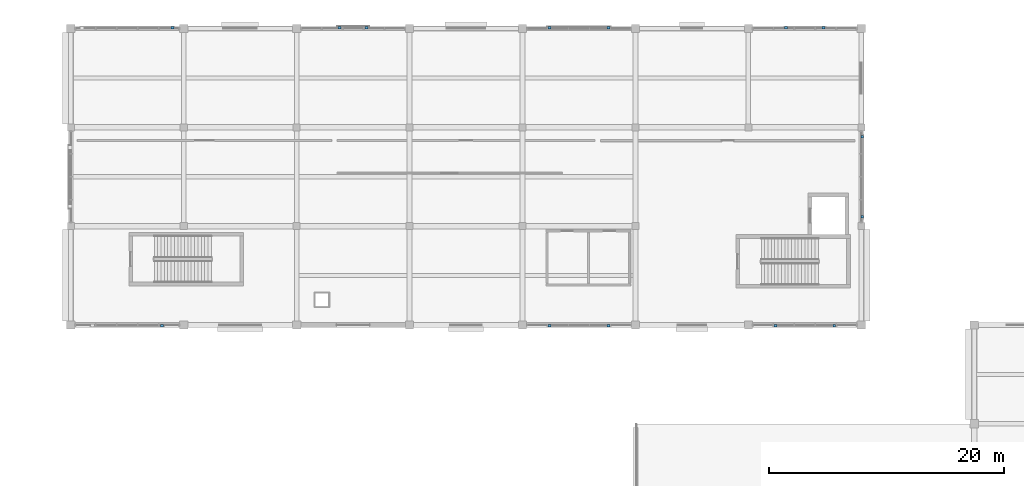
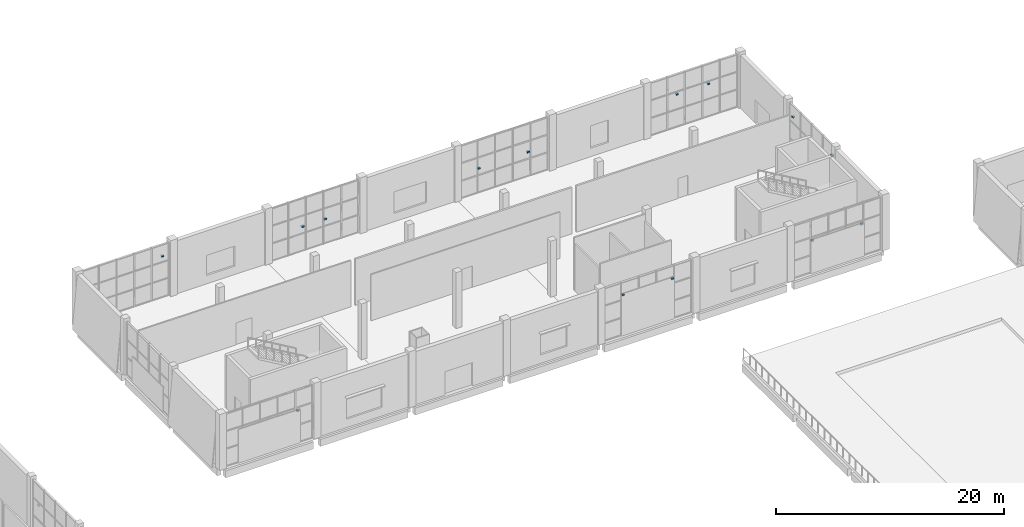
# One storey, part 67 of 84: 14 discrete accessories.
"""IFC4 building model written with IfcOpenShell, lengths in metres."""

from ifc_helpers import new_model, si_unit, direction, frame, origin, origin_2d, place, context, subcontext, project, spatial, rectangle, extrude, material, type_object, element, save


model = new_model("IFC4")

# Units and contexts
model_context = context("Model", 3, precision=1e-05, world=origin(), true_north=direction((0.0, 1.0)))
body_context = subcontext(model_context, "Body", "Model", "MODEL_VIEW")
ifc_project = project(units=[si_unit("LENGTHUNIT", "METRE"), si_unit("AREAUNIT", "SQUARE_METRE"), si_unit("VOLUMEUNIT", "CUBIC_METRE"), si_unit("PLANEANGLEUNIT", "RADIAN"), si_unit("MASSUNIT", "GRAM", prefix="KILO")], contexts=[model_context])

# Site, building, storey
site_placement = place(None, origin())
site = spatial("IfcSite", under=ifc_project, at=site_placement, CompositionType="ELEMENT")
building_placement = place(site_placement, origin())
building = spatial("IfcBuilding", under=site, at=building_placement, Name="Shalvenor Court Art Gallery", CompositionType="ELEMENT")
storey_placement = place(building_placement, origin())
storey = spatial("IfcBuildingStorey", under=building, at=storey_placement, Name="L00", CompositionType="ELEMENT", Elevation=0.0)

# Discrete accessories
ifc_material = material(Name="Stainless steel anchor bracket", Category="steel")
discrete_accessory_type = type_object("IfcDiscreteAccessoryType", Name="BRK-01", PredefinedType="BRACKET", material=ifc_material)
for number, where, z_axis, x_axis, name in (
    (1, (66.25, 122.472900390625, 4.27001953125), (0.0, 0.0, 1.0), (1.0, 0.0, 0.0), "L00 Lattice Anchor Bracket 80"),
    (2, (80.449951171875, 122.475341796875, 2.47021484375), (0.0, 0.0, 1.0), (1.0, 0.0, 0.0), "L00 Lattice Anchor Bracket 81"),
    (3, (82.75, 122.475341796875, 2.47021484375), (0.0, 0.0, 1.0), (1.0, 0.0, 0.0), "L00 Lattice Anchor Bracket 82"),
    (4, (98.300048828125, 122.455322265625, 2.47021484375), (0.0, 0.0, 1.0), (1.0, 0.0, 0.0), "L00 Lattice Anchor Bracket 83"),
    (5, (103.300048828125, 122.455322265625, 2.47021484375), (0.0, 0.0, 1.0), (1.0, 0.0, 0.0), "L00 Lattice Anchor Bracket 84"),
    (6, (118.39990234375, 122.466552734375, 3.3701171875), (0.0, 0.0, 1.0), (1.0, 0.0, 0.0), "L00 Lattice Anchor Bracket 85"),
    (7, (121.60009765625, 122.466552734375, 3.3701171875), (0.0, 0.0, 1.0), (1.0, 0.0, 0.0), "L00 Lattice Anchor Bracket 86"),
    (8, (124.87158203125, 113.199951171875, 4.27001953125), (0.0, 0.0, 1.0), (0.0, -1.0, 0.0), "L00 Lattice Anchor Bracket 87"),
    (9, (124.87158203125, 106.39990234375, 4.27001953125), (0.0, 0.0, 1.0), (0.0, -1.0, 0.0), "L00 Lattice Anchor Bracket 88"),
    (10, (122.5, 97.12353515625, 3.3701171875), (0.0, 0.0, 1.0), (-1.0, 0.0, 0.0), "L00 Lattice Anchor Bracket 89"),
    (11, (117.5, 97.12353515625, 3.3701171875), (0.0, 0.0, 1.0), (-1.0, 0.0, 0.0), "L00 Lattice Anchor Bracket 90"),
    (12, (103.300048828125, 97.1435546875, 4.27001953125), (0.0, 0.0, 1.0), (-1.0, 0.0, 0.0), "L00 Lattice Anchor Bracket 91"),
    (13, (98.300048828125, 97.1435546875, 4.27001953125), (0.0, 0.0, 1.0), (-1.0, 0.0, 0.0), "L00 Lattice Anchor Bracket 92"),
    (14, (65.35009765625, 97.133544921875, 3.3701171875), (0.0, 0.0, 1.0), (-1.0, 0.0, 0.0), "L00 Lattice Anchor Bracket 93"),
):
    element("IfcDiscreteAccessory", number, at=place(storey_placement, frame(where, z_axis=z_axis, x_axis=x_axis)), inside=storey, type_object=discrete_accessory_type, Name=name, PredefinedType="BRACKET", context=body_context, shape_type="SweptSolid", body=[
        extrude(rectangle(XDim=0.239990234375, YDim=0.219970703125, at=origin_2d()), origin(), (0.0, 0.0, 1.0), 0.159912109375),
    ])

save(model, "model.ifc")
